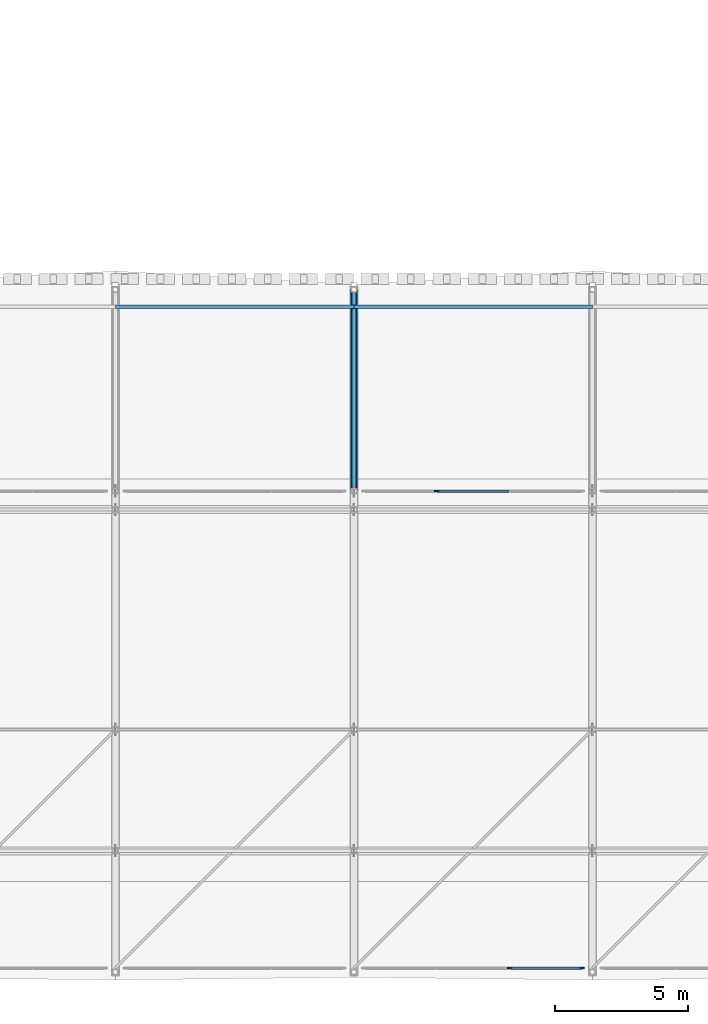
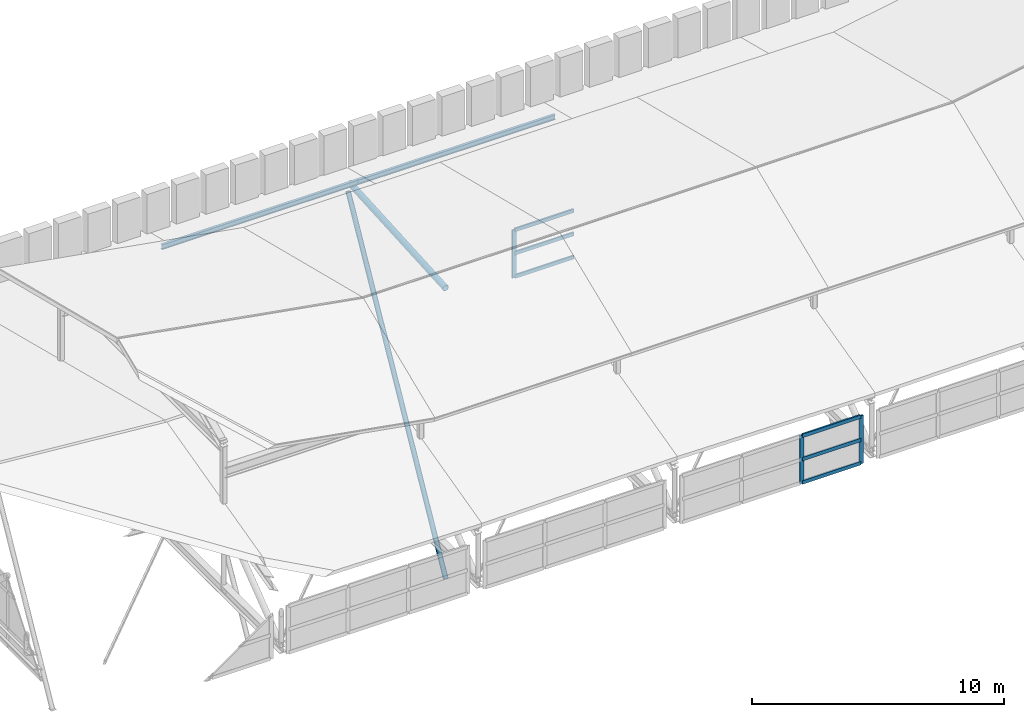
# One storey, part 11 of 42: 13 members, 2 elements without a shape of their own.
"""IFC4 building model written with IfcOpenShell, lengths in metres."""

import ifcopenshell
import ifcopenshell.guid

model = None  # the IFC model being written
_history = None  # IfcOwnerHistory: only IFC2X3 demands one
_inside = {}  # id of a spatial element -> (the spatial element, [elements in it])
_under = {}  # id of a project, library or spatial element -> (it, [spatial elements below it])
_declared = {}  # id of a project -> (the project, [libraries it declares])
_typed = {}  # id of a type object -> (the type object, [elements of that type])
_made_of = {}  # id of a material, layer set ... -> (it, [elements and type objects made of it])


def new_model(schema):
    """Start an empty IFC model of exactly this schema.

    Asked for "IFC4X3", IfcOpenShell would pick the latest addendum, in which some entities
    have other attributes; the version numbers below select the first issue.
    IFC2X3 requires an IfcOwnerHistory on every rooted entity: one is made here for all.
    """
    global model, _history
    if schema == "IFC4X3":
        model = ifcopenshell.file(schema_version=(4, 3, 0, 0))
    else:
        model = ifcopenshell.file(schema=schema)
    _inside.clear()
    _under.clear()
    _declared.clear()
    _typed.clear()
    _made_of.clear()
    _history = None
    if model.schema == "IFC2X3":
        org = make("IfcOrganization", Name="unknown")
        user = make(
            "IfcPersonAndOrganization",
            ThePerson=make("IfcPerson", FamilyName="unknown"),
            TheOrganization=org,
        )
        app = make(
            "IfcApplication",
            ApplicationDeveloper=org,
            Version="unknown",
            ApplicationFullName="unknown",
            ApplicationIdentifier="unknown",
        )
        _history = make(
            "IfcOwnerHistory",
            OwningUser=user,
            OwningApplication=app,
            ChangeAction="ADDED",
            CreationDate=0,
        )
    return model


def make(cls, **values):
    """One entity of the class cls with the attributes given. An attribute that is None is left unset."""
    return model.create_entity(
        cls, **{name: value for name, value in values.items() if value is not None}
    )


def rooted(cls, **values):
    """An entity with a GlobalId (a new one), such as an element, a storey or a relation."""
    return make(cls, GlobalId=ifcopenshell.guid.new(), OwnerHistory=_history, **values)


def si_unit(unit_type, name, prefix=None):
    """IfcSIUnit, for example si_unit("LENGTHUNIT", "METRE", prefix="MILLI")."""
    return make("IfcSIUnit", UnitType=unit_type, Prefix=prefix, Name=name)


def assignment(units):
    """IfcUnitAssignment: the units of a project."""
    return None if units is None else make("IfcUnitAssignment", Units=units)


def point(xyz):
    """IfcCartesianPoint."""
    return None if xyz is None else make("IfcCartesianPoint", Coordinates=xyz)


def direction(xyz):
    """IfcDirection."""
    return None if xyz is None else make("IfcDirection", DirectionRatios=xyz)


def frame(location, z_axis=None, x_axis=None):
    """IfcAxis2Placement3D, a coordinate frame: its origin and axes. An axis left out is left unset."""
    return make(
        "IfcAxis2Placement3D",
        Location=point(location),
        Axis=direction(z_axis),
        RefDirection=direction(x_axis),
    )


def frame_2d(location, x_axis=None):
    """IfcAxis2Placement2D, a coordinate frame in the plane: its origin and x axis."""
    return make(
        "IfcAxis2Placement2D", Location=point(location), RefDirection=direction(x_axis)
    )


def origin():
    """The frame at (0, 0, 0) with its axes left unset."""
    return frame((0.0, 0.0, 0.0))


def origin_2d():
    """The frame at (0, 0) in the plane with its x axis left unset."""
    return frame_2d((0.0, 0.0))


def place(relative_to, where):
    """IfcLocalPlacement: puts the frame where relative to a parent placement (None: the world)."""
    return make(
        "IfcLocalPlacement", PlacementRelTo=relative_to, RelativePlacement=where
    )


def context(
    kind, dimensions, precision=None, world=None, true_north=None, identifier=None
):
    """IfcGeometricRepresentationContext, for example the 3D "Model" context."""
    return make(
        "IfcGeometricRepresentationContext",
        ContextIdentifier=identifier,
        ContextType=kind,
        CoordinateSpaceDimension=dimensions,
        Precision=precision,
        WorldCoordinateSystem=world,
        TrueNorth=true_north,
    )


def subcontext(parent, identifier, kind, view, scale=None):
    """IfcGeometricRepresentationSubContext, for example "Body" below "Model"."""
    return make(
        "IfcGeometricRepresentationSubContext",
        ContextIdentifier=identifier,
        ContextType=kind,
        ParentContext=parent,
        TargetScale=scale,
        TargetView=view,
    )


def project(units=None, contexts=None):
    """IfcProject with its units and contexts."""
    return rooted(
        "IfcProject",
        Name="project",
        RepresentationContexts=contexts,
        UnitsInContext=assignment(units),
    )


def spatial(cls, under=None, at=None, **own):
    """A site, building, storey or space (cls), placed at a placement, below another one or the project."""
    s = rooted(cls, ObjectPlacement=at, **own)
    if under is not None:
        _under.setdefault(under.id(), (under, []))[1].append(s)
    return s


def profile(cls, at=None, kind="AREA", **sizes):
    """A parametric profile (cls). Its sizes go by their IFC names, for example OverallWidth=200.0."""
    return make(cls, ProfileType=kind, Position=at, **sizes)


def rectangle(**sizes):
    """IfcRectangleProfileDef."""
    return profile("IfcRectangleProfileDef", **sizes)


def hollow_circle(**sizes):
    """IfcCircleHollowProfileDef."""
    return profile("IfcCircleHollowProfileDef", **sizes)


def i_section(**sizes):
    """IfcIShapeProfileDef."""
    return profile("IfcIShapeProfileDef", **sizes)


def extrude(swept, where, along, depth):
    """IfcExtrudedAreaSolid: the profile swept, set in the frame where, extruded along a direction by depth."""
    return make(
        "IfcExtrudedAreaSolid",
        SweptArea=swept,
        Position=where,
        ExtrudedDirection=direction(along),
        Depth=depth,
    )


def shape(context_of_items, identifier, shape_type, items):
    """IfcShapeRepresentation: the items that make up one representation, for example the "Body"."""
    return make(
        "IfcShapeRepresentation",
        ContextOfItems=context_of_items,
        RepresentationIdentifier=identifier,
        RepresentationType=shape_type,
        Items=items,
    )


def material(Name=None, Category=None):
    """IfcMaterial."""
    return make("IfcMaterial", Name=Name, Category=Category)


def material_profile(
    of_material, cross_section, Name=None, Category=None, Priority=None
):
    """IfcMaterialProfile: a cross section and its material."""
    return make(
        "IfcMaterialProfile",
        Name=Name,
        Material=of_material,
        Profile=cross_section,
        Priority=Priority,
        Category=Category,
    )


def profile_set(profiles, Name=None, composite=None):
    """IfcMaterialProfileSet."""
    return make(
        "IfcMaterialProfileSet",
        Name=Name,
        MaterialProfiles=profiles,
        CompositeProfile=composite,
    )


def made_of(thing, what):
    """Note that an element or type object is made of a material, layer set ...; save() writes the relation."""
    if what is not None:
        _made_of.setdefault(what.id(), (what, []))[1].append(thing)
    return thing


def type_object(cls, material=None, **own):
    """A type object (cls), such as IfcWallType, which elements share."""
    return made_of(rooted(cls, **own), material)


def element(
    cls,
    number,
    at=None,
    inside=None,
    cuts=None,
    type_object=None,
    material=None,
    context=None,
    identifier="Body",
    shape_type=None,
    held_by="IfcProductDefinitionShape",
    body=None,
    shapes=None,
    **own,
):
    """One element of the class cls, such as IfcWall. Its Tag is "e" and its number.

    at: its placement. inside: the storey or other place that contains it. cuts: it is an
    opening in that element (IfcRelVoidsElement). A single representation is given by context,
    identifier, shape_type and body (its items); several are given by shapes. held_by: the class
    of the entity that holds the representations. save() writes the other relations.
    """
    e = rooted(cls, Tag="e%d" % number, ObjectPlacement=at, **own)
    if body is not None:
        shapes = [shape(context, identifier, shape_type, body)]
    if shapes is not None:
        e.Representation = make(held_by, Representations=shapes)
    if inside is not None:
        _inside.setdefault(inside.id(), (inside, []))[1].append(e)
    if cuts is not None:
        rooted(
            "IfcRelVoidsElement", RelatingBuildingElement=cuts, RelatedOpeningElement=e
        )
    if type_object is not None:
        _typed.setdefault(type_object.id(), (type_object, []))[1].append(e)
    return made_of(e, material)


def aggregate(whole, parts):
    """IfcRelAggregates: a whole, such as a stair, and the parts it consists of."""
    return rooted("IfcRelAggregates", RelatingObject=whole, RelatedObjects=parts)


def save(model, path):
    """Write the relations noted so far, then the file.

    IfcRelAggregates (storeys below a building ...), IfcRelContainedInSpatialStructure (elements
    in a storey), IfcRelDefinesByType, IfcRelAssociatesMaterial and IfcRelDeclares: one each for
    every whole, place, type object, material and project.
    """
    for whole, parts in _under.values():
        aggregate(whole, parts)
    for where, things in _inside.values():
        rooted(
            "IfcRelContainedInSpatialStructure",
            RelatedElements=things,
            RelatingStructure=where,
        )
    for kind, things in _typed.values():
        rooted("IfcRelDefinesByType", RelatedObjects=things, RelatingType=kind)
    for what, things in _made_of.values():
        rooted("IfcRelAssociatesMaterial", RelatedObjects=things, RelatingMaterial=what)
    for by, libraries in _declared.values():
        rooted("IfcRelDeclares", RelatingContext=by, RelatedDefinitions=libraries)
    model.write(path)


model = new_model("IFC4")

# Units and contexts
model_context = context("Model", 3, precision=1e-05, world=origin(), true_north=direction((0.0, 1.0)))
body_context = subcontext(model_context, "Body", "Model", "MODEL_VIEW")
ifc_project = project(units=[si_unit("LENGTHUNIT", "METRE"), si_unit("AREAUNIT", "SQUARE_METRE"), si_unit("VOLUMEUNIT", "CUBIC_METRE"), si_unit("PLANEANGLEUNIT", "RADIAN"), si_unit("MASSUNIT", "GRAM", prefix="KILO")], contexts=[model_context])

# Site, building, storey
site_placement = place(None, origin())
site = spatial("IfcSite", under=ifc_project, at=site_placement, CompositionType="ELEMENT")
building_placement = place(site_placement, origin())
building = spatial("IfcBuilding", under=site, at=building_placement, Name="Bozkorgan Art Gallery", CompositionType="ELEMENT")
storey_placement = place(building_placement, frame((0.0, 0.0, 28.800048828125)))
storey = spatial("IfcBuildingStorey", under=building, at=storey_placement, Name="RF", CompositionType="ELEMENT", Elevation=28.800048828125)

# Curtain wall, members
ifc_material_1 = material(Name="Anodised Bronze Aluminium", Category="aluminium")
curtain_wall_type = type_object("IfcCurtainWallType", Name="CW-CW-28", PredefinedType="NOTDEFINED", material=ifc_material_1)
curtain_wall_1_placement = place(storey_placement, origin())
curtain_wall_1 = element("IfcCurtainWall", 1, at=curtain_wall_1_placement, inside=storey, type_object=curtain_wall_type, Name="RF unitised curtain wall CW-RF-V1-S-29", PredefinedType="NOTDEFINED")
ifc_material_profile_1 = material_profile(ifc_material_1, rectangle(XDim=0.06494140625, YDim=0.179931640625, at=origin_2d()), Name="ALU MULLION 65x180")
ifc_profile_set_1 = profile_set([ifc_material_profile_1], Name="Anodised Bronze Aluminium")
member_type_1 = type_object("IfcMemberType", Name="CWM-01", PredefinedType="MULLION", material=ifc_profile_set_1)
member_1_placement = place(storey_placement, frame((34.8798828125, 2.0, -0.324951171875), z_axis=(0.0, 0.0, 1.0), x_axis=(0.0, 1.0, 0.0)))
member_1 = element("IfcMember", 2, at=member_1_placement, type_object=member_type_1, Name="CW-28 mullion 3", PredefinedType="MULLION", context=body_context, shape_type="SweptSolid", body=[
    extrude(rectangle(XDim=0.06494140625, YDim=0.179931640625, at=origin_2d()), origin(), (0.0, 0.0, 1.0), 2.324951171875),
])
member_2_placement = place(storey_placement, frame((37.607421875, 2.0, -0.324951171875), z_axis=(0.0, 0.0, 1.0), x_axis=(0.0, 1.0, 0.0)))
member_2 = element("IfcMember", 3, at=member_2_placement, type_object=member_type_1, Name="CW-28 mullion 4", PredefinedType="MULLION", context=body_context, shape_type="SweptSolid", body=[
    extrude(rectangle(XDim=0.06494140625, YDim=0.179931640625, at=origin_2d()), origin(), (0.0, 0.0, 1.0), 2.324951171875),
])

# Curtain wall, member
curtain_wall_2_placement = place(storey_placement, origin())
curtain_wall_2 = element("IfcCurtainWall", 4, at=curtain_wall_2_placement, inside=storey, type_object=curtain_wall_type, Name="RF unitised curtain wall CW-RF-V1-N-29", PredefinedType="NOTDEFINED")
member_3_placement = place(storey_placement, frame((32.1201171875, 20.0, -0.324951171875), z_axis=(0.0, 0.0, 1.0), x_axis=(0.0, 1.0, 0.0)))
member_3 = element("IfcMember", 5, at=member_3_placement, type_object=member_type_1, Name="CW-28 mullion 2", PredefinedType="MULLION", context=body_context, shape_type="SweptSolid", body=[
    extrude(rectangle(XDim=0.06494140625, YDim=0.179931640625, at=origin_2d()), origin(), (0.0, 0.0, 1.0), 2.324951171875),
])

# Member
ifc_material_profile_2 = material_profile(ifc_material_1, rectangle(XDim=0.074951171875, YDim=0.169921875, at=origin_2d()), Name="ALU TRANSOM 75x170")
ifc_profile_set_2 = profile_set([ifc_material_profile_2], Name="Anodised Bronze Aluminium")
member_type_2 = type_object("IfcMemberType", Name="CWT-02", PredefinedType="USERDEFINED", material=ifc_profile_set_2)
member_4_placement = place(storey_placement, frame((34.91259765625, 2.0, -0.28759765625), z_axis=(1.0, 0.0, 0.0), x_axis=(0.0, 1.0, 0.0)))
member_4 = element("IfcMember", 6, at=member_4_placement, type_object=member_type_2, Name="CW-28 transom 3.1", ObjectType="TRANSOM", PredefinedType="USERDEFINED", context=body_context, shape_type="SweptSolid", body=[
    extrude(rectangle(XDim=0.074951171875, YDim=0.169921875, at=origin_2d()), origin(), (0.0, 0.0, 1.0), 2.662353515625),
])

member_5_placement = place(storey_placement, frame((34.91259765625, 2.0, 0.837890625), z_axis=(1.0, 0.0, 0.0), x_axis=(0.0, 1.0, 0.0)))
member_5 = element("IfcMember", 7, at=member_5_placement, type_object=member_type_2, Name="CW-28 transom 3.2", ObjectType="TRANSOM", PredefinedType="USERDEFINED", context=body_context, shape_type="SweptSolid", body=[
    extrude(rectangle(XDim=0.074951171875, YDim=0.169921875, at=origin_2d()), origin(), (0.0, 0.0, 1.0), 2.662353515625),
])

member_6_placement = place(storey_placement, frame((34.91259765625, 2.0, 1.96240234375), z_axis=(1.0, 0.0, 0.0), x_axis=(0.0, 1.0, 0.0)))
member_6 = element("IfcMember", 8, at=member_6_placement, type_object=member_type_2, Name="CW-28 transom 3.3", ObjectType="TRANSOM", PredefinedType="USERDEFINED", context=body_context, shape_type="SweptSolid", body=[
    extrude(rectangle(XDim=0.074951171875, YDim=0.169921875, at=origin_2d()), origin(), (0.0, 0.0, 1.0), 2.662353515625),
])

aggregate(curtain_wall_1, [member_1, member_2, member_4, member_5, member_6])

member_7_placement = place(storey_placement, frame((32.152587890625, 20.0, -0.28759765625), z_axis=(1.0, 0.0, 0.0), x_axis=(0.0, 1.0, 0.0)))
member_7 = element("IfcMember", 9, at=member_7_placement, type_object=member_type_2, Name="CW-28 transom 2.1", ObjectType="TRANSOM", PredefinedType="USERDEFINED", context=body_context, shape_type="SweptSolid", body=[
    extrude(rectangle(XDim=0.074951171875, YDim=0.169921875, at=origin_2d()), origin(), (0.0, 0.0, 1.0), 2.69482421875),
])

member_8_placement = place(storey_placement, frame((32.152587890625, 20.0, 0.837890625), z_axis=(1.0, 0.0, 0.0), x_axis=(0.0, 1.0, 0.0)))
member_8 = element("IfcMember", 10, at=member_8_placement, type_object=member_type_2, Name="CW-28 transom 2.2", ObjectType="TRANSOM", PredefinedType="USERDEFINED", context=body_context, shape_type="SweptSolid", body=[
    extrude(rectangle(XDim=0.074951171875, YDim=0.169921875, at=origin_2d()), origin(), (0.0, 0.0, 1.0), 2.69482421875),
])

member_9_placement = place(storey_placement, frame((32.152587890625, 20.0, 1.96240234375), z_axis=(1.0, 0.0, 0.0), x_axis=(0.0, 1.0, 0.0)))
member_9 = element("IfcMember", 11, at=member_9_placement, type_object=member_type_2, Name="CW-28 transom 2.3", ObjectType="TRANSOM", PredefinedType="USERDEFINED", context=body_context, shape_type="SweptSolid", body=[
    extrude(rectangle(XDim=0.074951171875, YDim=0.169921875, at=origin_2d()), origin(), (0.0, 0.0, 1.0), 2.69482421875),
])

aggregate(curtain_wall_2, [member_3, member_7, member_8, member_9])

# Members
ifc_material_2 = material(Name="Steel S355J2", Category="steel")
ifc_material_profile_3 = material_profile(ifc_material_2, hollow_circle(Radius=0.109619140625, WallThickness=0.010009765625, at=origin_2d()), Name="CHS 219.1x10")
ifc_profile_set_3 = profile_set([ifc_material_profile_3], Name="Steel S355J2")
member_type_3 = type_object("IfcMemberType", Name="MEMBER-ES-44", PredefinedType="BRACE", material=ifc_profile_set_3)
member_10_placement = place(storey_placement, frame((29.0, 20.0, -13.800048828125), z_axis=(0.0, 0.48251516305, 0.875887616893), x_axis=(-1.0, 0.0, 0.0)))
element("IfcMember", 12, at=member_10_placement, inside=storey, type_object=member_type_3, Name="ROOF-V1-MAIN north swept-eave diagonal tree-strut 4", PredefinedType="BRACE", context=body_context, shape_type="SweptSolid", body=[
    extrude(hollow_circle(Radius=0.109619140625, WallThickness=0.010009765625, at=origin_2d()), origin(), (0.0, 0.0, 1.0), 16.041015625),
])
ifc_material_profile_4 = material_profile(ifc_material_2, i_section(OverallWidth=0.1201171875, OverallDepth=0.239990234375, WebThickness=0.006103515625, FlangeThickness=0.009765625, FilletRadius=0.014892578125, at=origin_2d()), Name="IPE 240")
ifc_profile_set_4 = profile_set([ifc_material_profile_4], Name="Steel S355J2")
member_type_4 = type_object("IfcMemberType", Name="MEMBER-PR-34", PredefinedType="PURLIN", material=ifc_profile_set_4)
for number, where, z_axis, x_axis, name in (
    (13, (20.0, 26.949951171875, 1.18603515625), (1.0, 0.0, 0.0), (0.0, 1.0, 0.0), "ROOF-V1-MAIN north eave purlin 3"),
    (14, (29.0, 26.949951171875, 1.18603515625), (1.0, 0.0, 0.0), (0.0, 1.0, 0.0), "ROOF-V1-MAIN north eave purlin 4"),
):
    element("IfcMember", number, at=place(storey_placement, frame(where, z_axis=z_axis, x_axis=x_axis)), inside=storey, type_object=member_type_4, Name=name, PredefinedType="PURLIN", context=body_context, shape_type="SweptSolid", body=[
        extrude(i_section(OverallWidth=0.1201171875, OverallDepth=0.239990234375, WebThickness=0.006103515625, FlangeThickness=0.009765625, FilletRadius=0.014892578125, at=origin_2d()), origin(), (0.0, 0.0, 1.0), 9.0),
    ])
ifc_material_profile_5 = material_profile(ifc_material_2, hollow_circle(Radius=0.136474609375, WallThickness=0.012451171875, at=origin_2d()), Name="CHS 273x12.5")
ifc_profile_set_5 = profile_set([ifc_material_profile_5], Name="Steel S355J2")
member_type_5 = type_object("IfcMemberType", Name="MEMBER-TW-28", PredefinedType="BRACE", material=ifc_profile_set_5)
member_11_placement = place(storey_placement, frame((29.0, 20.0, 0.25), z_axis=(0.0, 0.998039833362, 0.062581874549), x_axis=(-1.0, 0.0, 0.0)))
element("IfcMember", 15, at=member_11_placement, inside=storey, type_object=member_type_5, Name="ROOF-V1-MAIN roof truss 4 diagonal 5", PredefinedType="BRACE", context=body_context, shape_type="SweptSolid", body=[
    extrude(hollow_circle(Radius=0.136474609375, WallThickness=0.012451171875, at=origin_2d()), origin(), (0.0, 0.0, 1.0), 7.614990234375),
])

save(model, "model.ifc")
